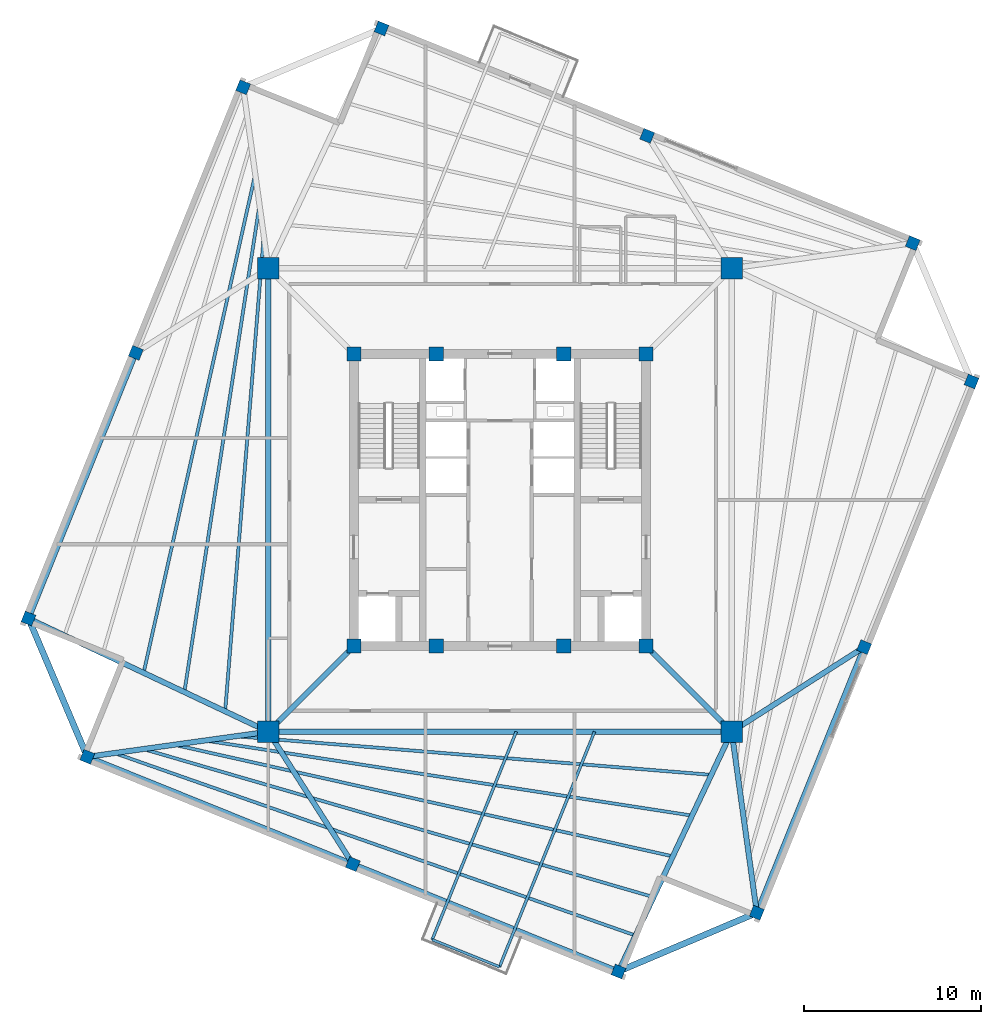
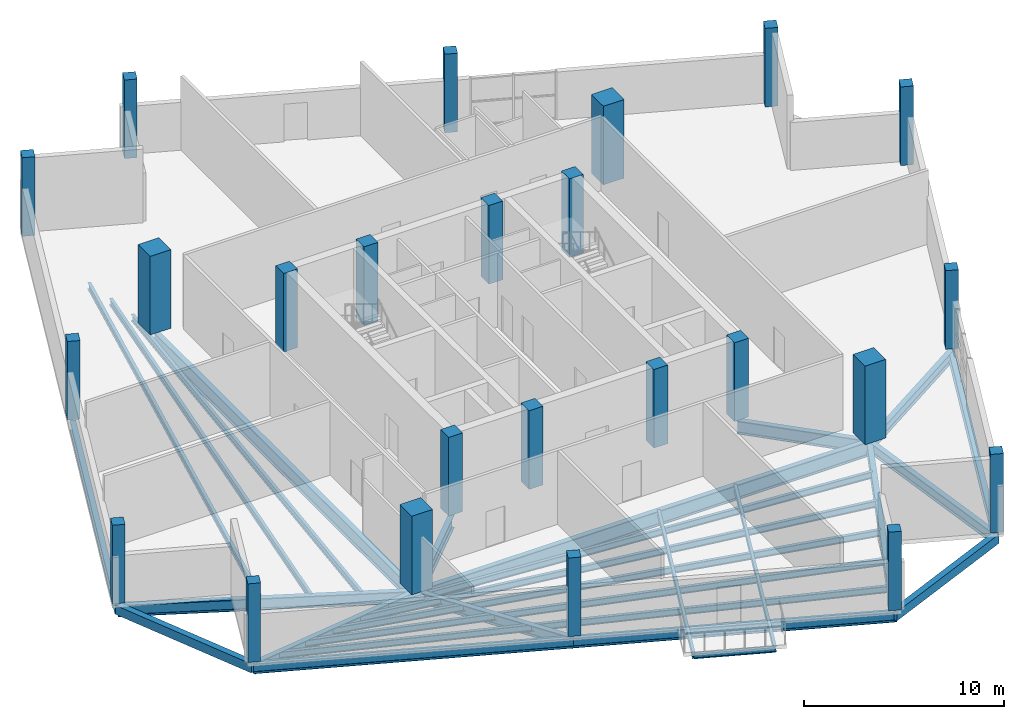
# One storey, part 1 of 9: 27 beams, 24 columns.
"""IFC4 building model written with IfcOpenShell, lengths in metres."""

from ifc_helpers import new_model, si_unit, direction, frame, origin, origin_2d, place, context, subcontext, project, spatial, rectangle, i_section, extrude, source, transform, mapped, material, material_profile, profile_set, type_object, element, save


model = new_model("IFC4")

# Units and contexts
model_context = context("Model", 3, precision=1e-05, world=origin(), true_north=direction((0.0, 1.0)))
body_context = subcontext(model_context, "Body", "Model", "MODEL_VIEW")
ifc_project = project(units=[si_unit("LENGTHUNIT", "METRE"), si_unit("AREAUNIT", "SQUARE_METRE"), si_unit("VOLUMEUNIT", "CUBIC_METRE"), si_unit("PLANEANGLEUNIT", "RADIAN"), si_unit("MASSUNIT", "GRAM", prefix="KILO"), si_unit("THERMODYNAMICTEMPERATUREUNIT", "KELVIN")], contexts=[model_context])

# Site, building, storey
site_placement = place(None, origin())
site = spatial("IfcSite", under=ifc_project, at=site_placement, CompositionType="ELEMENT")
building_placement = place(site_placement, origin())
building = spatial("IfcBuilding", under=site, at=building_placement, Name="Kosmvard Interchange Tower", CompositionType="ELEMENT")
storey_placement = place(building_placement, frame((0.0, 0.0, 316.800048828125)))
storey = spatial("IfcBuildingStorey", under=building, at=storey_placement, Name="L78", CompositionType="ELEMENT", Elevation=316.800048828125)

# Columns
ifc_material_1 = material(Name="Concrete C50/60", Category="concrete")
ifc_material_profile_1 = material_profile(ifc_material_1, rectangle(XDim=0.800048828125, YDim=0.800048828125, at=origin_2d()), Name="CP 800x800")
ifc_profile_set_1 = profile_set([ifc_material_profile_1], Name="Concrete C50/60")
column_type_1 = type_object("IfcColumnType", Name="Core Boundary Pilaster 800x800 C50/60", PredefinedType="PILASTER", material=ifc_profile_set_1)
shared_shape_1 = source(origin(), body_context, "Body", "SweptSolid", [
    extrude(rectangle(XDim=0.800048828125, YDim=0.800048828125, at=origin_2d()), origin(), (0.0, 0.0, 1.0), 4.800048828125),
])
for number, where, z_axis, x_axis, name in (
    (1, (-8.25, -8.25, 0.0), (0.0, 0.0, 1.0), (1.0, 0.0, 0.0), "L78 Core Pilaster CP1"),
    (2, (8.25, -8.25, 0.0), (0.0, 0.0, 1.0), (1.0, 0.0, 0.0), "L78 Core Pilaster CP2"),
    (3, (8.25, 8.25, 0.0), (0.0, 0.0, 1.0), (1.0, 0.0, 0.0), "L78 Core Pilaster CP3"),
    (4, (-8.25, 8.25, 0.0), (0.0, 0.0, 1.0), (1.0, 0.0, 0.0), "L78 Core Pilaster CP4"),
    (5, (-3.60009765625, -8.25, 0.0), (0.0, 0.0, 1.0), (1.0, 0.0, 0.0), "L78 Core Pilaster CP5"),
    (6, (3.60009765625, -8.25, 0.0), (0.0, 0.0, 1.0), (1.0, 0.0, 0.0), "L78 Core Pilaster CP6"),
    (7, (-3.60009765625, 8.25, 0.0), (0.0, 0.0, 1.0), (1.0, 0.0, 0.0), "L78 Core Pilaster CP7"),
    (8, (3.60009765625, 8.25, 0.0), (0.0, 0.0, 1.0), (1.0, 0.0, 0.0), "L78 Core Pilaster CP8"),
):
    element("IfcColumn", number, at=place(storey_placement, frame(where, z_axis=z_axis, x_axis=x_axis)), inside=storey, type_object=column_type_1, Name=name, PredefinedType="PILASTER", context=body_context, shape_type="MappedRepresentation", body=[
        mapped(shared_shape_1, transform((0.0, 0.0, 0.0), scale=1.0)),
    ])
ifc_material_profile_2 = material_profile(ifc_material_1, rectangle(XDim=1.199951171875, YDim=1.199951171875, at=origin_2d()), Name="MC 1200x1200")
ifc_profile_set_2 = profile_set([ifc_material_profile_2], Name="Concrete C50/60")
column_type_2 = type_object("IfcColumnType", Name="Composite Mega-Column 1200x1200 C50/60", PredefinedType="COLUMN", material=ifc_profile_set_2)
shared_shape_2 = source(origin(), body_context, "Body", "SweptSolid", [
    extrude(rectangle(XDim=1.199951171875, YDim=1.199951171875, at=origin_2d()), origin(), (0.0, 0.0, 1.0), 4.800048828125),
])
for number, where, z_axis, x_axis, name in (
    (9, (-13.0810546875, -13.0810546875, 0.0), (0.0, 0.0, 1.0), (1.0, 0.0, 0.0), "L78 Corner Mega-Column MC1"),
    (10, (13.0810546875, -13.0810546875, 0.0), (0.0, 0.0, 1.0), (1.0, 0.0, 0.0), "L78 Corner Mega-Column MC2"),
    (11, (13.0810546875, 13.0810546875, 0.0), (0.0, 0.0, 1.0), (1.0, 0.0, 0.0), "L78 Corner Mega-Column MC3"),
    (12, (-13.0810546875, 13.0810546875, 0.0), (0.0, 0.0, 1.0), (1.0, 0.0, 0.0), "L78 Corner Mega-Column MC4"),
):
    element("IfcColumn", number, at=place(storey_placement, frame(where, z_axis=z_axis, x_axis=x_axis)), inside=storey, type_object=column_type_2, Name=name, PredefinedType="COLUMN", context=body_context, shape_type="MappedRepresentation", body=[
        mapped(shared_shape_2, transform((0.0, 0.0, 0.0), scale=1.0)),
    ])
ifc_material_profile_3 = material_profile(ifc_material_1, rectangle(XDim=0.64990234375, YDim=0.64990234375, at=origin_2d()), Name="TC 650x650")
ifc_profile_set_3 = profile_set([ifc_material_profile_3], Name="Concrete C50/60")
column_type_3 = type_object("IfcColumnType", Name="Zone 5 Perimeter Pier Column 650x650 C50/60", PredefinedType="COLUMN", material=ifc_profile_set_3)
shared_shape_3 = source(origin(), body_context, "Body", "SweptSolid", [
    extrude(rectangle(XDim=0.64990234375, YDim=0.64990234375, at=origin_2d()), origin(), (0.0, 0.0, 1.0), 4.800048828125),
])
for number, where, z_axis, x_axis, name in (
    (13, (14.5009765625, -23.30419921875, 0.0), (0.0, 0.0, 1.0), (0.374606593416, 0.927183854567, 0.0), "L78 Perimeter Pier Column TC-S1"),
    (14, (20.560302734375, -8.306884765625, 0.0), (0.0, 0.0, 1.0), (0.374606593416, 0.927183854567, 0.0), "L78 Perimeter Pier Column TC-S2"),
    (15, (26.61962890625, 6.690185546875, 0.0), (0.0, 0.0, 1.0), (0.374606593416, 0.927183854567, 0.0), "L78 Perimeter Pier Column TC-S3"),
    (16, (23.30419921875, 14.5009765625, 0.0), (0.0, 0.0, 1.0), (0.374606593416, 0.927183854567, 0.0), "L78 Perimeter Pier Column TC-E1"),
    (17, (8.306884765625, 20.560302734375, 0.0), (0.0, 0.0, 1.0), (0.374606593416, 0.927183854567, 0.0), "L78 Perimeter Pier Column TC-E2"),
    (18, (-6.690185546875, 26.61962890625, 0.0), (0.0, 0.0, 1.0), (0.374606593416, 0.927183854567, 0.0), "L78 Perimeter Pier Column TC-E3"),
    (19, (-14.5009765625, 23.30419921875, 0.0), (0.0, 0.0, 1.0), (0.374606593416, 0.927183854567, 0.0), "L78 Perimeter Pier Column TC-N1"),
    (20, (-20.560302734375, 8.306884765625, 0.0), (0.0, 0.0, 1.0), (0.374606593416, 0.927183854567, 0.0), "L78 Perimeter Pier Column TC-N2"),
    (21, (-26.61962890625, -6.690185546875, 0.0), (0.0, 0.0, 1.0), (0.374606593416, 0.927183854567, 0.0), "L78 Perimeter Pier Column TC-N3"),
    (22, (-23.30419921875, -14.5009765625, 0.0), (0.0, 0.0, 1.0), (0.374606593416, 0.927183854567, 0.0), "L78 Perimeter Pier Column TC-W1"),
    (23, (-8.306884765625, -20.560302734375, 0.0), (0.0, 0.0, 1.0), (0.374606593416, 0.927183854567, 0.0), "L78 Perimeter Pier Column TC-W2"),
    (24, (6.690185546875, -26.61962890625, 0.0), (0.0, 0.0, 1.0), (0.374606593416, 0.927183854567, 0.0), "L78 Perimeter Pier Column TC-W3"),
):
    element("IfcColumn", number, at=place(storey_placement, frame(where, z_axis=z_axis, x_axis=x_axis)), inside=storey, type_object=column_type_3, Name=name, PredefinedType="COLUMN", context=body_context, shape_type="MappedRepresentation", body=[
        mapped(shared_shape_3, transform((0.0, 0.0, 0.0), scale=1.0)),
    ])

# Beams
ifc_material_2 = material(Name="Steel S355", Category="steel")
ifc_material_profile_4 = material_profile(ifc_material_2, i_section(OverallWidth=0.14990234375, OverallDepth=0.300048828125, WebThickness=0.007080078125, FlangeThickness=0.0107421875, FilletRadius=0.014892578125, at=origin_2d()), Name="IPE 300")
ifc_profile_set_4 = profile_set([ifc_material_profile_4], Name="Steel S355")
beam_type_1 = type_object("IfcBeamType", Name="Balcony Edge Header Joist IPE 300 S355", PredefinedType="JOIST", material=ifc_profile_set_4)
shared_shape_4 = source(origin(), body_context, "Body", "SweptSolid", [
    extrude(i_section(OverallWidth=0.14990234375, OverallDepth=0.300048828125, WebThickness=0.007080078125, FlangeThickness=0.0107421875, FilletRadius=0.014892578125, at=origin_2d()), origin(), (0.0, 0.0, 1.0), 4.10009765625),
])
beam_1_placement = place(storey_placement, frame((-3.827880859375, -24.82373046875, -0.400146484375), z_axis=(0.927185764791, -0.37460186541, 0.0), x_axis=(0.37460186541, 0.927185764791, 0.0)))
element("IfcBeam", 25, at=beam_1_placement, inside=storey, type_object=beam_type_1, Name="BM-L78-BJH2", PredefinedType="JOIST", context=body_context, shape_type="MappedRepresentation", body=[
    mapped(shared_shape_4, transform((0.0, 0.0, 0.0), scale=1.0)),
])
ifc_material_profile_5 = material_profile(ifc_material_2, i_section(OverallWidth=0.300048828125, OverallDepth=0.800048828125, WebThickness=0.017578125, FlangeThickness=0.032958984375, FilletRadius=0.027099609375, at=origin_2d()), Name="HEB 800")
ifc_profile_set_5 = profile_set([ifc_material_profile_5], Name="Steel S355")
beam_type_2 = type_object("IfcBeamType", Name="Primary Mega-Frame Girder HEB 800 S355", PredefinedType="BEAM", material=ifc_profile_set_5)
shared_shape_5 = source(origin(), body_context, "Body", "SweptSolid", [
    extrude(i_section(OverallWidth=0.300048828125, OverallDepth=0.800048828125, WebThickness=0.017578125, FlangeThickness=0.032958984375, FilletRadius=0.027099609375, at=origin_2d()), origin(), (0.0, 0.0, 1.0), 6.83203125),
])
for number, where, z_axis, x_axis, name in (
    (26, (-8.25, -8.25, -0.650146484375), (-0.707106781187, -0.707106781187, 0.0), (0.707106781187, -0.707106781187, 0.0), "L78 Radial Mega-Frame Girder 1"),
    (27, (8.25, -8.25, -0.650146484375), (0.707106781187, -0.707106781187, 0.0), (0.707106781187, 0.707106781187, 0.0), "L78 Radial Mega-Frame Girder 2"),
):
    element("IfcBeam", number, at=place(storey_placement, frame(where, z_axis=z_axis, x_axis=x_axis)), inside=storey, type_object=beam_type_2, Name=name, PredefinedType="BEAM", context=body_context, shape_type="MappedRepresentation", body=[
        mapped(shared_shape_5, transform((0.0, 0.0, 0.0), scale=1.0)),
    ])
ifc_material_profile_6 = material_profile(ifc_material_2, i_section(OverallWidth=0.300048828125, OverallDepth=0.89990234375, WebThickness=0.0185546875, FlangeThickness=0.034912109375, FilletRadius=0.030029296875, at=origin_2d()), Name="HEB 900")
ifc_profile_set_6 = profile_set([ifc_material_profile_6], Name="Steel S355")
beam_type_3 = type_object("IfcBeamType", Name="Mega-Column Ring Girder HEB 900 S355", PredefinedType="BEAM", material=ifc_profile_set_6)
shared_shape_6 = source(origin(), body_context, "Body", "SweptSolid", [
    extrude(i_section(OverallWidth=0.300048828125, OverallDepth=0.89990234375, WebThickness=0.0185546875, FlangeThickness=0.034912109375, FilletRadius=0.030029296875, at=origin_2d()), origin(), (0.0, 0.0, 1.0), 26.162109375),
])
for number, where, z_axis, x_axis, name in (
    (28, (-13.0810546875, -13.0810546875, -0.699951171875), (1.0, 0.0, 0.0), (0.0, 1.0, 0.0), "L78 Mega-Column Ring Girder 1"),
    (29, (-13.0810546875, 13.0810546875, -0.699951171875), (0.0, -1.0, 0.0), (1.0, 0.0, 0.0), "L78 Mega-Column Ring Girder 4"),
):
    element("IfcBeam", number, at=place(storey_placement, frame(where, z_axis=z_axis, x_axis=x_axis)), inside=storey, type_object=beam_type_3, Name=name, PredefinedType="BEAM", context=body_context, shape_type="MappedRepresentation", body=[
        mapped(shared_shape_6, transform((0.0, 0.0, 0.0), scale=1.0)),
    ])
ifc_material_profile_7 = material_profile(ifc_material_2, i_section(OverallWidth=0.300048828125, OverallDepth=0.60009765625, WebThickness=0.015380859375, FlangeThickness=0.030029296875, FilletRadius=0.027099609375, at=origin_2d()), Name="HEB 600")
ifc_profile_set_7 = profile_set([ifc_material_profile_7], Name="Steel S355")
beam_type_4 = type_object("IfcBeamType", Name="Perimeter Tie Girder HEB 600 S355", PredefinedType="BEAM", material=ifc_profile_set_7)
shared_shape_7 = source(origin(), body_context, "Body", "SweptSolid", [
    extrude(i_section(OverallWidth=0.300048828125, OverallDepth=0.60009765625, WebThickness=0.015380859375, FlangeThickness=0.030029296875, FilletRadius=0.027099609375, at=origin_2d()), origin(), (0.0, 0.0, 1.0), 16.175048828125),
])
for number, where, z_axis, x_axis, name in (
    (30, (14.5009765625, -23.30419921875, -0.550048828125), (0.374607540279, 0.927183472009, 0.0), (-0.927183472009, 0.374607540279, 0.0), "BM-L78-PR01"),
    (31, (-23.30419921875, -14.5009765625, -0.550048828125), (0.927183472009, -0.374607540279, 0.0), (0.374607540279, 0.927183472009, 0.0), "BM-L78-PR10"),
):
    element("IfcBeam", number, at=place(storey_placement, frame(where, z_axis=z_axis, x_axis=x_axis)), inside=storey, type_object=beam_type_4, Name=name, PredefinedType="BEAM", context=body_context, shape_type="MappedRepresentation", body=[
        mapped(shared_shape_7, transform((0.0, 0.0, 0.0), scale=1.0)),
    ])
ifc_material_profile_8 = material_profile(ifc_material_2, i_section(OverallWidth=0.300048828125, OverallDepth=0.64990234375, WebThickness=0.01611328125, FlangeThickness=0.031005859375, FilletRadius=0.027099609375, at=origin_2d()), Name="HEB 650")
ifc_profile_set_8 = profile_set([ifc_material_profile_8], Name="Steel S355")
beam_type_5 = type_object("IfcBeamType", Name="Primary Floor Girder HEB 650 S355", PredefinedType="BEAM", material=ifc_profile_set_8)
shared_shape_8 = source(origin(), body_context, "Body", "SweptSolid", [
    extrude(i_section(OverallWidth=0.300048828125, OverallDepth=0.64990234375, WebThickness=0.01611328125, FlangeThickness=0.031005859375, FilletRadius=0.027099609375, at=origin_2d()), origin(), (0.0, 0.0, 1.0), 10.3212890625),
])
for number, where, z_axis, x_axis, name in (
    (32, (13.0810546875, -13.0810546875, -0.574951171875), (0.137572239014, -0.990491735984, 0.0), (0.990491735984, 0.137572239014, 0.0), "BM-L78-RD01"),
    (33, (-13.0810546875, -13.0810546875, -0.574951171875), (-0.990491735984, -0.137572239014, 0.0), (0.137572239014, -0.990491735984, 0.0), "BM-L78-RD10"),
):
    element("IfcBeam", number, at=place(storey_placement, frame(where, z_axis=z_axis, x_axis=x_axis)), inside=storey, type_object=beam_type_5, Name=name, PredefinedType="BEAM", context=body_context, shape_type="MappedRepresentation", body=[
        mapped(shared_shape_8, transform((0.0, 0.0, 0.0), scale=1.0)),
    ])
shared_shape_9 = source(origin(), body_context, "Body", "SweptSolid", [
    extrude(i_section(OverallWidth=0.300048828125, OverallDepth=0.60009765625, WebThickness=0.015380859375, FlangeThickness=0.030029296875, FilletRadius=0.027099609375, at=origin_2d()), origin(), (0.0, 0.0, 1.0), 16.1748046875),
])
for number, where, z_axis, x_axis, name in (
    (34, (-20.560302734375, 8.306884765625, -0.550048828125), (-0.374612782798, -0.92718135387, 0.0), (0.92718135387, -0.374612782798, 0.0), "BM-L78-PR08"),
    (35, (-8.306884765625, -20.560302734375, -0.550048828125), (0.92718135387, -0.374612782798, 0.0), (0.374612782798, 0.92718135387, 0.0), "BM-L78-PR11"),
):
    element("IfcBeam", number, at=place(storey_placement, frame(where, z_axis=z_axis, x_axis=x_axis)), inside=storey, type_object=beam_type_4, Name=name, PredefinedType="BEAM", context=body_context, shape_type="MappedRepresentation", body=[
        mapped(shared_shape_9, transform((0.0, 0.0, 0.0), scale=1.0)),
    ])
shared_shape_10 = source(origin(), body_context, "Body", "SweptSolid", [
    extrude(i_section(OverallWidth=0.300048828125, OverallDepth=0.64990234375, WebThickness=0.01611328125, FlangeThickness=0.031005859375, FilletRadius=0.027099609375, at=origin_2d()), origin(), (0.0, 0.0, 1.0), 8.873046875),
])
for number, where, z_axis, x_axis, name in (
    (36, (13.0810546875, -13.0810546875, -0.574951171875), (0.842912916934, 0.538050011119, 0.0), (-0.538050011119, 0.842912916934, 0.0), "BM-L78-RD02"),
    (37, (-13.0810546875, -13.0810546875, -0.574951171875), (0.538050011119, -0.842912916934, 0.0), (0.842912916934, 0.538050011119, 0.0), "BM-L78-RD11"),
):
    element("IfcBeam", number, at=place(storey_placement, frame(where, z_axis=z_axis, x_axis=x_axis)), inside=storey, type_object=beam_type_5, Name=name, PredefinedType="BEAM", context=body_context, shape_type="MappedRepresentation", body=[
        mapped(shared_shape_10, transform((0.0, 0.0, 0.0), scale=1.0)),
    ])
ifc_material_3 = material(Name="Precast concrete C45/55", Category="concrete")
ifc_material_profile_9 = material_profile(ifc_material_3, rectangle(XDim=0.35009765625, YDim=0.550048828125, at=origin_2d()), Name="SL 350x550")
ifc_profile_set_9 = profile_set([ifc_material_profile_9], Name="Precast concrete C45/55")
beam_type_6 = type_object("IfcBeamType", Name="Precast Spandrel Lintel 350x550 C45/55", PredefinedType="LINTEL", material=ifc_profile_set_9)
shared_shape_11 = source(origin(), body_context, "Body", "SweptSolid", [
    extrude(rectangle(XDim=0.35009765625, YDim=0.550048828125, at=origin_2d()), origin(), (0.0, 0.0, 1.0), 8.4853515625),
])
for number, where, z_axis, x_axis, name in (
    (38, (-26.61962890625, -6.690185546875, -0.525146484375), (0.390725696857, -0.920507159025, 0.0), (0.920507159025, 0.390725696857, 0.0), "BM-L78-SL3"),
    (39, (6.690185546875, -26.61962890625, -0.525146484375), (0.920507159025, 0.390725696857, 0.0), (-0.390725696857, 0.920507159025, 0.0), "BM-L78-SL4"),
):
    element("IfcBeam", number, at=place(storey_placement, frame(where, z_axis=z_axis, x_axis=x_axis)), inside=storey, type_object=beam_type_6, Name=name, PredefinedType="LINTEL", context=body_context, shape_type="MappedRepresentation", body=[
        mapped(shared_shape_11, transform((0.0, 0.0, 0.0), scale=1.0)),
    ])
ifc_material_profile_10 = material_profile(ifc_material_2, i_section(OverallWidth=0.300048828125, OverallDepth=0.699951171875, WebThickness=0.01708984375, FlangeThickness=0.031982421875, FilletRadius=0.027099609375, at=origin_2d()), Name="HEB 700")
ifc_profile_set_10 = profile_set([ifc_material_profile_10], Name="Steel S355")
beam_type_7 = type_object("IfcBeamType", Name="Primary Floor Girder HEB 700 S355", PredefinedType="BEAM", material=ifc_profile_set_10)
shared_shape_12 = source(origin(), body_context, "Body", "SweptSolid", [
    extrude(i_section(OverallWidth=0.300048828125, OverallDepth=0.699951171875, WebThickness=0.01708984375, FlangeThickness=0.031982421875, FilletRadius=0.027099609375, at=origin_2d()), origin(), (0.0, 0.0, 1.0), 14.97119140625),
])
for number, where, z_axis, x_axis, name in (
    (40, (-13.0810546875, -13.0810546875, -0.60009765625), (-0.904309155001, 0.426878146761, 0.0), (-0.426878146761, -0.904309155001, 0.0), "BM-L78-RD09"),
    (41, (13.0810546875, -13.0810546875, -0.60009765625), (-0.426878146761, -0.904309155001, 0.0), (0.904309155001, -0.426878146761, 0.0), "BM-L78-RD12"),
):
    element("IfcBeam", number, at=place(storey_placement, frame(where, z_axis=z_axis, x_axis=x_axis)), inside=storey, type_object=beam_type_7, Name=name, PredefinedType="BEAM", context=body_context, shape_type="MappedRepresentation", body=[
        mapped(shared_shape_12, transform((0.0, 0.0, 0.0), scale=1.0)),
    ])
ifc_material_profile_11 = material_profile(ifc_material_2, i_section(OverallWidth=0.179931640625, OverallDepth=0.39990234375, WebThickness=0.008544921875, FlangeThickness=0.013427734375, FilletRadius=0.02099609375, at=origin_2d()), Name="IPE 400")
ifc_profile_set_11 = profile_set([ifc_material_profile_11], Name="Steel S355")
beam_type_8 = type_object("IfcBeamType", Name="Upper-Zone Floor Joist IPE 400 S355", PredefinedType="JOIST", material=ifc_profile_set_11)
shared_shape_13 = source(origin(), body_context, "Body", "SweptSolid", [
    extrude(i_section(OverallWidth=0.179931640625, OverallDepth=0.39990234375, WebThickness=0.008544921875, FlangeThickness=0.013427734375, FilletRadius=0.02099609375, at=origin_2d()), origin(), (0.0, 0.0, 1.0), 26.780029296875),
])
for number, where, z_axis, x_axis, name in (
    (42, (-13.343017578125, 14.84130859375, -0.449951171875), (-0.080972773487, -0.996716313679, 0.0), (0.996716313679, -0.080972773487, 0.0), "BM-L78-FJ11"),
    (43, (-14.84130859375, -13.343017578125, -0.449951171875), (0.996716313679, -0.080972773487, 0.0), (0.080972773487, 0.996716313679, 0.0), "BM-L78-FJ16"),
):
    element("IfcBeam", number, at=place(storey_placement, frame(where, z_axis=z_axis, x_axis=x_axis)), inside=storey, type_object=beam_type_8, Name=name, PredefinedType="JOIST", context=body_context, shape_type="MappedRepresentation", body=[
        mapped(shared_shape_13, transform((0.0, 0.0, 0.0), scale=1.0)),
    ])
shared_shape_14 = source(origin(), body_context, "Body", "SweptSolid", [
    extrude(i_section(OverallWidth=0.179931640625, OverallDepth=0.39990234375, WebThickness=0.008544921875, FlangeThickness=0.013427734375, FilletRadius=0.02099609375, at=origin_2d()), origin(), (0.0, 0.0, 1.0), 27.66845703125),
])
for number, where, z_axis, x_axis, name in (
    (44, (-13.590087890625, 16.580078125, -0.449951171875), (-0.152421855854, -0.988315525456, 0.0), (0.988315525456, -0.152421855854, 0.0), "BM-L78-FJ12"),
    (45, (-16.580078125, -13.590087890625, -0.449951171875), (0.988315525456, -0.152421855854, 0.0), (0.152421855854, 0.988315525456, 0.0), "BM-L78-FJ17"),
):
    element("IfcBeam", number, at=place(storey_placement, frame(where, z_axis=z_axis, x_axis=x_axis)), inside=storey, type_object=beam_type_8, Name=name, PredefinedType="JOIST", context=body_context, shape_type="MappedRepresentation", body=[
        mapped(shared_shape_14, transform((0.0, 0.0, 0.0), scale=1.0)),
    ])
shared_shape_15 = source(origin(), body_context, "Body", "SweptSolid", [
    extrude(i_section(OverallWidth=0.179931640625, OverallDepth=0.39990234375, WebThickness=0.008544921875, FlangeThickness=0.013427734375, FilletRadius=0.02099609375, at=origin_2d()), origin(), (0.0, 0.0, 1.0), 28.691162109375),
])
for number, where, z_axis, x_axis, name in (
    (46, (-13.8369140625, 18.31884765625, -0.449951171875), (-0.218415018158, -0.975855972899, 0.0), (0.975855972899, -0.218415018158, 0.0), "BM-L78-FJ13"),
    (47, (-18.31884765625, -13.8369140625, -0.449951171875), (0.975855972899, -0.218415018158, 0.0), (0.218415018158, 0.975855972899, 0.0), "BM-L78-FJ18"),
):
    element("IfcBeam", number, at=place(storey_placement, frame(where, z_axis=z_axis, x_axis=x_axis)), inside=storey, type_object=beam_type_8, Name=name, PredefinedType="JOIST", context=body_context, shape_type="MappedRepresentation", body=[
        mapped(shared_shape_15, transform((0.0, 0.0, 0.0), scale=1.0)),
    ])
shared_shape_16 = source(origin(), body_context, "Body", "SweptSolid", [
    extrude(i_section(OverallWidth=0.179931640625, OverallDepth=0.39990234375, WebThickness=0.008544921875, FlangeThickness=0.013427734375, FilletRadius=0.02099609375, at=origin_2d()), origin(), (0.0, 0.0, 1.0), 29.83544921875),
])
beam_2_placement = place(storey_placement, frame((-20.05810546875, -14.0830078125, -0.449951171875), z_axis=(0.960356191717, -0.27877586881, 0.0), x_axis=(0.27877586881, 0.960356191717, 0.0)))
element("IfcBeam", 48, at=beam_2_placement, inside=storey, type_object=beam_type_8, Name="BM-L78-FJ19", PredefinedType="JOIST", context=body_context, shape_type="MappedRepresentation", body=[
    mapped(shared_shape_16, transform((0.0, 0.0, 0.0), scale=1.0)),
])
shared_shape_17 = source(origin(), body_context, "Body", "SweptSolid", [
    extrude(i_section(OverallWidth=0.179931640625, OverallDepth=0.39990234375, WebThickness=0.008544921875, FlangeThickness=0.013427734375, FilletRadius=0.02099609375, at=origin_2d()), origin(), (0.0, 0.0, 1.0), 31.0107421875),
])
beam_3_placement = place(storey_placement, frame((-21.695068359375, -14.314453125, -0.449951171875), z_axis=(0.943820055713, -0.330459834828, 0.0), x_axis=(0.330459834828, 0.943820055713, 0.0)))
element("IfcBeam", 49, at=beam_3_placement, inside=storey, type_object=beam_type_8, Name="BM-L78-FJ20", PredefinedType="JOIST", context=body_context, shape_type="MappedRepresentation", body=[
    mapped(shared_shape_17, transform((0.0, 0.0, 0.0), scale=1.0)),
])
ifc_material_profile_12 = material_profile(ifc_material_2, i_section(OverallWidth=0.159912109375, OverallDepth=0.330078125, WebThickness=0.007568359375, FlangeThickness=0.011474609375, FilletRadius=0.01806640625, at=origin_2d()), Name="IPE 330")
ifc_profile_set_12 = profile_set([ifc_material_profile_12], Name="Steel S355")
beam_type_9 = type_object("IfcBeamType", Name="Balcony Cantilever Joist IPE 330 S355", PredefinedType="JOIST", material=ifc_profile_set_12)
shared_shape_18 = source(origin(), body_context, "Body", "SweptSolid", [
    extrude(i_section(OverallWidth=0.159912109375, OverallDepth=0.330078125, WebThickness=0.007568359375, FlangeThickness=0.011474609375, FilletRadius=0.01806640625, at=origin_2d()), origin(), (0.0, 0.0, 1.0), 12.664794921875),
])
beam_4_placement = place(storey_placement, frame((0.91650390625, -13.0810546875, -0.4150390625), z_axis=(-0.374609022674, -0.927182873079, 0.0), x_axis=(0.927182873079, -0.374609022674, 0.0)))
element("IfcBeam", 50, at=beam_4_placement, inside=storey, type_object=beam_type_9, Name="BM-L78-BJ2", PredefinedType="JOIST", context=body_context, shape_type="MappedRepresentation", body=[
    mapped(shared_shape_18, transform((0.0, 0.0, 0.0), scale=1.0)),
])
shared_shape_19 = source(origin(), body_context, "Body", "SweptSolid", [
    extrude(i_section(OverallWidth=0.159912109375, OverallDepth=0.330078125, WebThickness=0.007568359375, FlangeThickness=0.011474609375, FilletRadius=0.01806640625, at=origin_2d()), origin(), (0.0, 0.0, 1.0), 14.321533203125),
])
beam_5_placement = place(storey_placement, frame((5.338623046875, -13.0810546875, -0.4150390625), z_axis=(-0.374612713374, -0.92718138192, 0.0), x_axis=(0.92718138192, -0.374612713374, 0.0)))
element("IfcBeam", 51, at=beam_5_placement, inside=storey, type_object=beam_type_9, Name="BM-L78-BJB2", PredefinedType="JOIST", context=body_context, shape_type="MappedRepresentation", body=[
    mapped(shared_shape_19, transform((0.0, 0.0, 0.0), scale=1.0)),
])

save(model, "model.ifc")
